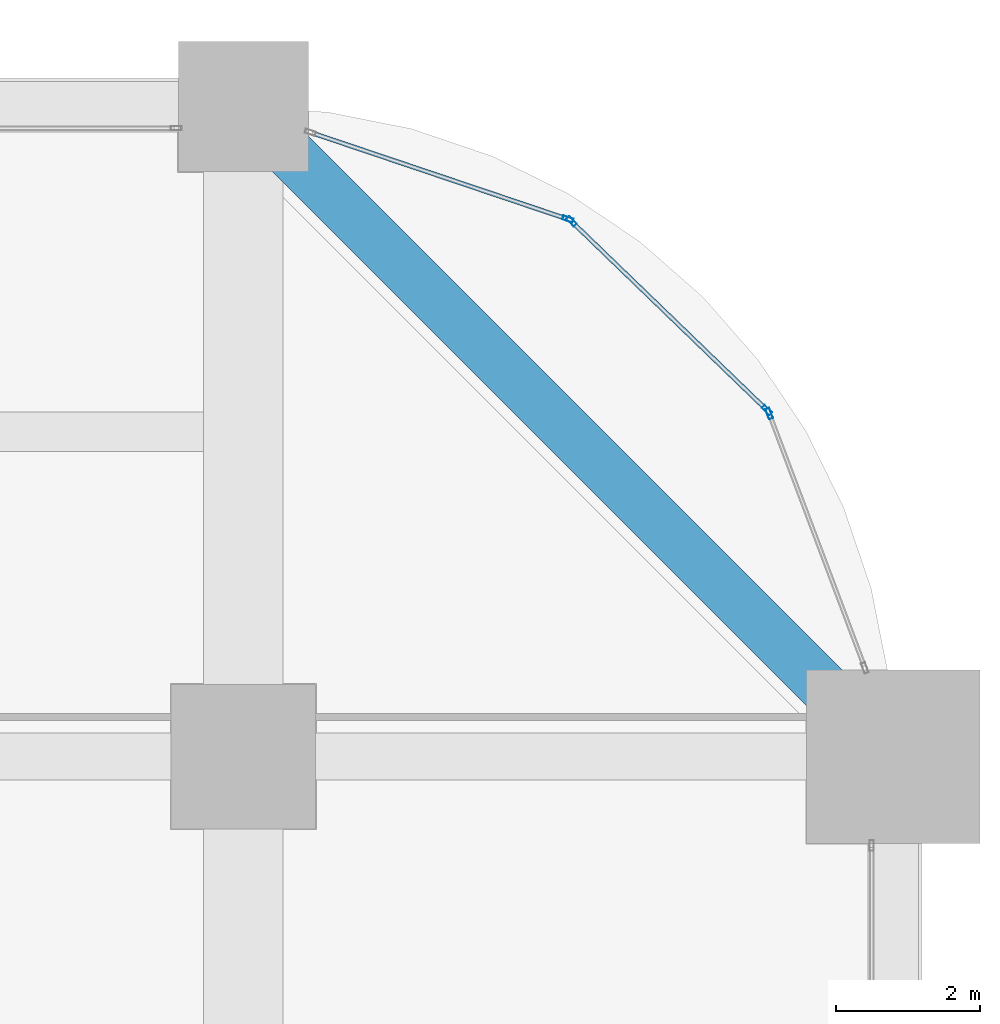
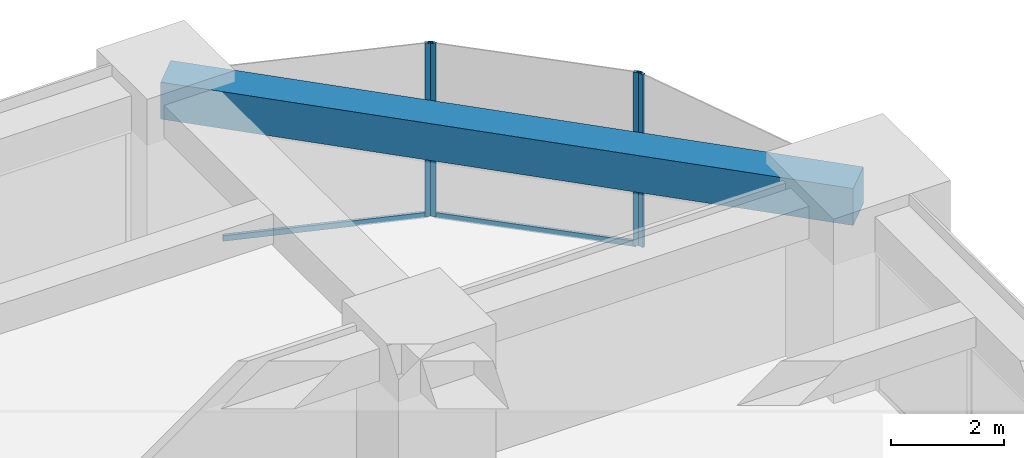
# One storey, part 34 of 39: 6 members, 1 beam, 3 elements without a shape of their own.
"""IFC4 building model written with IfcOpenShell, lengths in metres."""

from ifc_helpers import new_model, si_unit, direction, frame, origin, origin_2d, place, context, subcontext, project, spatial, rectangle, hollow_rectangle, extrude, material, material_profile, profile_set, type_object, element, aggregate, save


model = new_model("IFC4")

# Units and contexts
model_context = context("Model", 3, precision=1e-05, world=origin(), true_north=direction((0.0, 1.0)))
body_context = subcontext(model_context, "Body", "Model", "MODEL_VIEW")
ifc_project = project(units=[si_unit("LENGTHUNIT", "METRE"), si_unit("AREAUNIT", "SQUARE_METRE"), si_unit("VOLUMEUNIT", "CUBIC_METRE"), si_unit("PLANEANGLEUNIT", "RADIAN"), si_unit("MASSUNIT", "GRAM", prefix="KILO")], contexts=[model_context])

# Site, building, storey
site_placement = place(None, origin())
site = spatial("IfcSite", under=ifc_project, at=site_placement, CompositionType="ELEMENT")
building_placement = place(site_placement, origin())
building = spatial("IfcBuilding", under=site, at=building_placement, Name="Zorevar Civic Tower", CompositionType="ELEMENT")
storey_placement = place(building_placement, frame((0.0, 0.0, 121.0)))
storey = spatial("IfcBuildingStorey", under=building, at=storey_placement, Name="L29", CompositionType="ELEMENT", Elevation=121.0)

# Curtain wall, member
ifc_material_1 = material(Name="Dark grey solar-control glass in black aluminium frame", Category="aluminium")
curtain_wall_type = type_object("IfcCurtainWallType", Name="Curtain wall CW3 mid zone", PredefinedType="NOTDEFINED", material=ifc_material_1)
curtain_wall_1_placement = place(storey_placement, origin())
curtain_wall_1 = element("IfcCurtainWall", 1, at=curtain_wall_1_placement, inside=storey, type_object=curtain_wall_type, Name="CW3 L29", PredefinedType="NOTDEFINED")
ifc_material_2 = material(Name="Aluminium, black anodised", Category="aluminium")
ifc_material_profile_1 = material_profile(ifc_material_2, hollow_rectangle(XDim=0.06005859375, YDim=0.14990234375, WallThickness=0.00390625, at=origin_2d()), Name="AL 150x60x4")
ifc_profile_set_1 = profile_set([ifc_material_profile_1], Name="Aluminium, black anodised")
member_type_1 = type_object("IfcMemberType", Name="CW3 mullion AL 150x60x4", PredefinedType="MULLION", material=ifc_profile_set_1)
member_1_placement = place(storey_placement, frame((61.281494140625, 40.749267578125, 0.0), z_axis=(0.0, 0.0, 1.0), x_axis=(-0.935950528564, -0.352131520999, 0.0)))
member_1 = element("IfcMember", 2, at=member_1_placement, type_object=member_type_1, Name="CW3 mullion 2", PredefinedType="MULLION", context=body_context, shape_type="SweptSolid", body=[
    extrude(hollow_rectangle(XDim=0.06005859375, YDim=0.14990234375, WallThickness=0.00390625, at=origin_2d()), origin(), (0.0, 0.0, 1.0), 3.75),
])
aggregate(curtain_wall_1, [member_1])

# Curtain wall, members
curtain_wall_2_placement = place(storey_placement, origin())
curtain_wall_2 = element("IfcCurtainWall", 3, at=curtain_wall_2_placement, inside=storey, type_object=curtain_wall_type, Name="CW3 L29", PredefinedType="NOTDEFINED")
member_2_placement = place(storey_placement, frame((61.249267578125, 40.798095703125, 0.0), z_axis=(0.0, 0.0, 1.0), x_axis=(-0.694719089155, -0.719281160023, 0.0)))
member_2 = element("IfcMember", 4, at=member_2_placement, type_object=member_type_1, Name="CW3 mullion 1", PredefinedType="MULLION", context=body_context, shape_type="SweptSolid", body=[
    extrude(hollow_rectangle(XDim=0.06005859375, YDim=0.14990234375, WallThickness=0.00390625, at=origin_2d()), origin(), (0.0, 0.0, 1.0), 3.75),
])
member_3_placement = place(storey_placement, frame((58.54345703125, 43.41162109375, 0.0), z_axis=(0.0, 0.0, 1.0), x_axis=(-0.694719089155, -0.719281160023, 0.0)))
member_3 = element("IfcMember", 5, at=member_3_placement, type_object=member_type_1, Name="CW3 mullion 2", PredefinedType="MULLION", context=body_context, shape_type="SweptSolid", body=[
    extrude(hollow_rectangle(XDim=0.06005859375, YDim=0.14990234375, WallThickness=0.00390625, at=origin_2d()), origin(), (0.0, 0.0, 1.0), 3.75),
])

# Curtain wall, member
curtain_wall_3_placement = place(storey_placement, origin())
curtain_wall_3 = element("IfcCurtainWall", 6, at=curtain_wall_3_placement, inside=storey, type_object=curtain_wall_type, Name="CW3 L29", PredefinedType="NOTDEFINED")
member_4_placement = place(storey_placement, frame((58.493408203125, 43.442138671875, 0.0), z_axis=(0.0, 0.0, 1.0), x_axis=(-0.319412525043, -0.947615765406, 0.0)))
member_4 = element("IfcMember", 7, at=member_4_placement, type_object=member_type_1, Name="CW3 mullion 1", PredefinedType="MULLION", context=body_context, shape_type="SweptSolid", body=[
    extrude(hollow_rectangle(XDim=0.06005859375, YDim=0.14990234375, WallThickness=0.00390625, at=origin_2d()), origin(), (0.0, 0.0, 1.0), 3.75),
])

# Member
ifc_material_3 = material(Name="Aluminium, black anodised", Category="aluminium")
ifc_material_profile_2 = material_profile(ifc_material_3, hollow_rectangle(XDim=0.06005859375, YDim=0.1201171875, WallThickness=0.0029296875, at=origin_2d()), Name="AL 120x60x3")
ifc_profile_set_2 = profile_set([ifc_material_profile_2], Name="Aluminium, black anodised")
member_type_2 = type_object("IfcMemberType", Name="CW3 transom AL 120x60x3", PredefinedType="USERDEFINED", material=ifc_profile_set_2)
member_5_placement = place(storey_placement, frame((61.227783203125, 40.81884765625, 0.030029296875), z_axis=(-0.719266228526, 0.694734548228, 0.0), x_axis=(-0.694734548228, -0.719266228526, 0.0)))
member_5 = element("IfcMember", 8, at=member_5_placement, type_object=member_type_2, Name="CW3 sill transom", ObjectType="TRANSOM", PredefinedType="USERDEFINED", context=body_context, shape_type="SweptSolid", body=[
    extrude(hollow_rectangle(XDim=0.06005859375, YDim=0.1201171875, WallThickness=0.0029296875, at=origin_2d()), origin(), (0.0, 0.0, 1.0), 3.7021484375),
])

aggregate(curtain_wall_2, [member_2, member_3, member_5])

member_6_placement = place(storey_placement, frame((58.465087890625, 43.45166015625, 0.030029296875), z_axis=(-0.9476295577, 0.319371603893, 0.0), x_axis=(-0.319371603893, -0.9476295577, 0.0)))
member_6 = element("IfcMember", 9, at=member_6_placement, type_object=member_type_2, Name="CW3 sill transom", ObjectType="TRANSOM", PredefinedType="USERDEFINED", context=body_context, shape_type="SweptSolid", body=[
    extrude(hollow_rectangle(XDim=0.06005859375, YDim=0.1201171875, WallThickness=0.0029296875, at=origin_2d()), origin(), (0.0, 0.0, 1.0), 3.7021484375),
])

aggregate(curtain_wall_3, [member_4, member_6])

# Beam
ifc_material_4 = material(Name="Concrete C50/60", Category="concrete")
ifc_material_profile_3 = material_profile(ifc_material_4, rectangle(XDim=0.699951171875, YDim=0.800048828125, at=origin_2d()), Name="RC 700x800")
ifc_profile_set_3 = profile_set([ifc_material_profile_3], Name="Concrete C50/60")
beam_type = type_object("IfcBeamType", Name="Edge beam RC 700x800", PredefinedType="SPANDREL", material=ifc_profile_set_3)
beam_placement = place(storey_placement, frame((63.0, 36.0, 3.35009765625), z_axis=(-0.707106781187, 0.707106781187, 0.0), x_axis=(-0.707106781187, -0.707106781187, 0.0)))
element("IfcBeam", 10, at=beam_placement, inside=storey, type_object=beam_type, Name="Corner edge beam L30", PredefinedType="SPANDREL", context=body_context, shape_type="SweptSolid", body=[
    extrude(rectangle(XDim=0.699951171875, YDim=0.800048828125, at=origin_2d()), origin(), (0.0, 0.0, 1.0), 12.72802734375),
])

save(model, "model.ifc")
